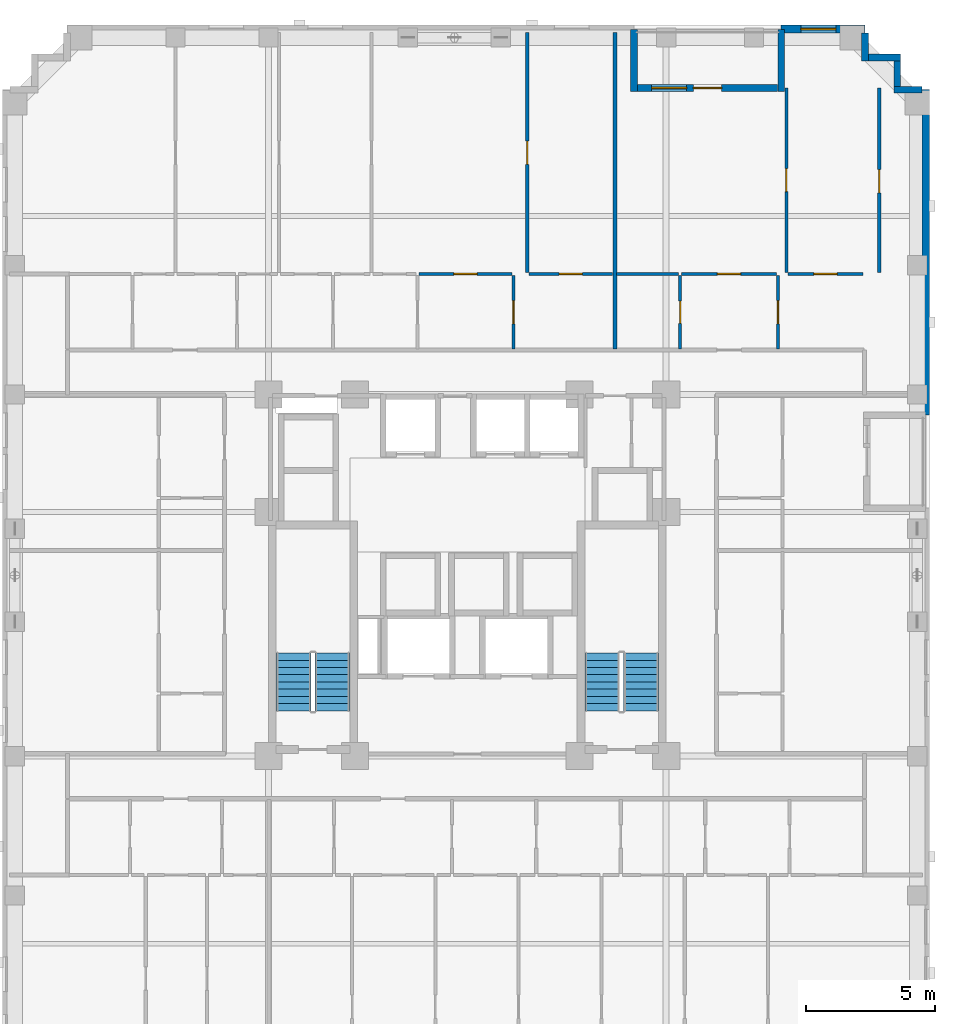
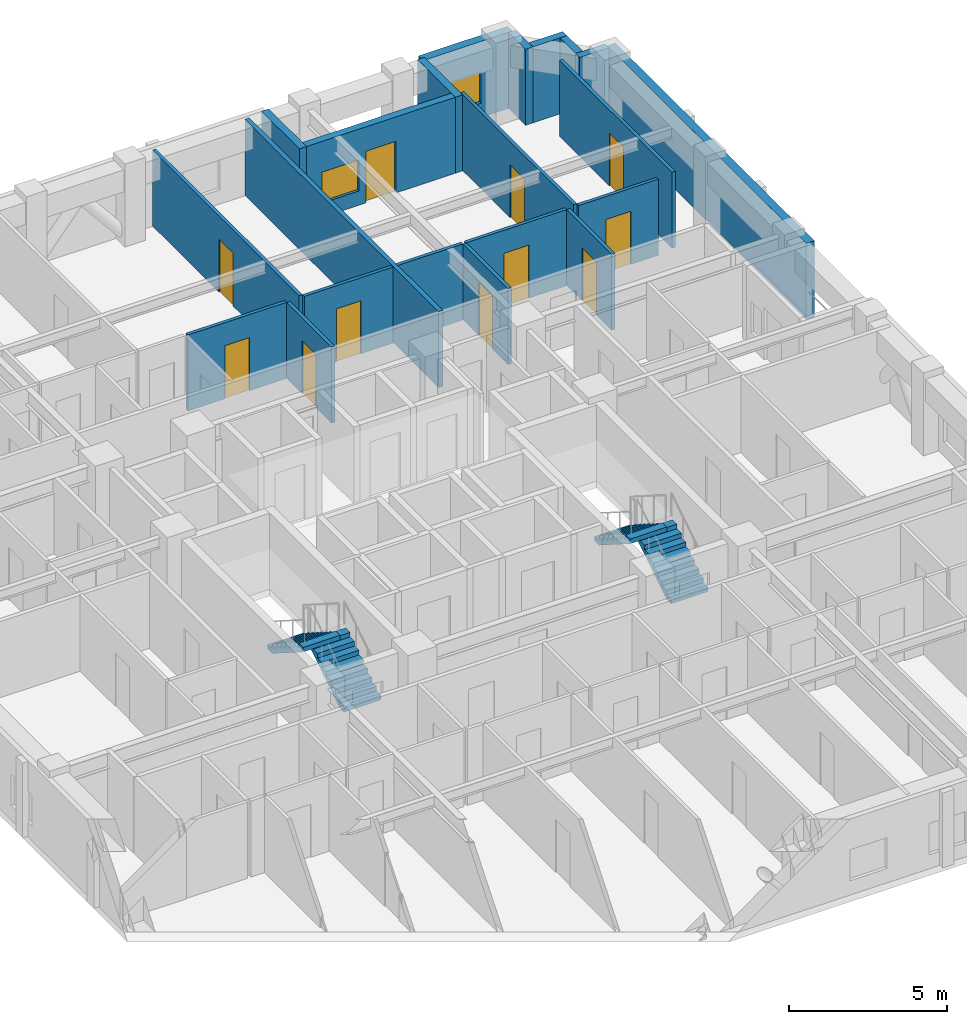
# One storey, part 8 of 12: 21 walls, 11 doors, 4 stair flights, 2 windows, 13 openings, 2 elements without a shape of their own.
"""IFC4 building model written with IfcOpenShell, lengths in metres."""

from ifc_helpers import new_model, si_unit, derived_unit, direction, frame, frame_2d, origin, place, context, subcontext, project, spatial, polyline, rectangle, outline, extrude, material, layer, layer_set, type_object, element, fill, aggregate, save


model = new_model("IFC4")

# Units and contexts
model_context = context("Model", 3, precision=1e-05, world=origin(), true_north=direction((0.0, 1.0)))
body_context = subcontext(model_context, "Body", "Model", "MODEL_VIEW")
ifc_project = project(units=[si_unit("LENGTHUNIT", "METRE"), si_unit("AREAUNIT", "SQUARE_METRE"), si_unit("VOLUMEUNIT", "CUBIC_METRE"), si_unit("PLANEANGLEUNIT", "RADIAN"), si_unit("MASSUNIT", "GRAM", prefix="KILO"), derived_unit("THERMALTRANSMITTANCEUNIT", [(si_unit("MASSUNIT", "GRAM", prefix="KILO"), 1), (si_unit("TIMEUNIT", "SECOND"), -3), (si_unit("THERMODYNAMICTEMPERATUREUNIT", "KELVIN"), -1)])], contexts=[model_context])

# Site, building, storey
site_placement = place(None, origin())
site = spatial("IfcSite", under=ifc_project, at=site_placement, CompositionType="ELEMENT")
building_placement = place(site_placement, origin())
building = spatial("IfcBuilding", under=site, at=building_placement, Name="Korrvale Station Residences", CompositionType="ELEMENT")
storey_placement = place(building_placement, frame((0.0, 0.0, 113.5)))
storey = spatial("IfcBuildingStorey", under=building, at=storey_placement, Name="L32", CompositionType="ELEMENT", Elevation=113.5)

# Wall
ifc_material_1 = material(Name="Precast concrete C45/55", Category="concrete")
ifc_layer_1 = layer(ifc_material_1, 0.260009765625, Name="Precast concrete C45/55")
ifc_layer_set_1 = layer_set([ifc_layer_1], Name="Precast concrete C45/55")
wall_type_1 = type_object("IfcWallType", Name="WAL-EXT-LOG260", PredefinedType="SOLIDWALL", material=ifc_layer_set_1)
wall_1_placement = place(storey_placement, frame((31.949951171875, 43.139892578125, 0.0), z_axis=(0.0, 0.0, 1.0), x_axis=(0.0, -1.0, 0.0)))
element("IfcWall", 1, at=wall_1_placement, inside=storey, type_object=wall_type_1, Name="L32 Recessed Loggia Wall BAL-L32-N1-L", PredefinedType="SOLIDWALL", context=body_context, shape_type="SweptSolid", body=[
    extrude(rectangle(XDim=2.39990234375, YDim=0.260009765625, at=frame_2d((1.199951171875, 0.0))), origin(), (0.0, 0.0, 1.0), 2.93994140625),
])

# Wall, openings, door, window
wall_2_placement = place(storey_placement, frame((32.083984375, 40.8701171875, 0.0), z_axis=(0.0, 0.0, 1.0), x_axis=(1.0, 0.0, 0.0)))
wall_2 = element("IfcWall", 2, at=wall_2_placement, inside=storey, type_object=wall_type_1, Name="L32 Recessed Loggia Wall BAL-L32-N1-B", PredefinedType="SOLIDWALL", context=body_context, shape_type="SweptSolid", body=[
    extrude(rectangle(XDim=5.43212890625, YDim=0.260009765625, at=frame_2d((2.716064453125, 0.0))), origin(), (0.0, 0.0, 1.0), 2.93994140625),
])
opening_1_placement = place(wall_2_placement, frame((2.166015625, 0.0, 0.0)))
opening_1 = element("IfcOpeningElement", 3, at=opening_1_placement, cuts=wall_2, Name="Opening BD-01", PredefinedType="OPENING", context=body_context, shape_type="SweptSolid", body=[
    extrude(rectangle(XDim=1.10009765625, YDim=2.0, at=frame_2d((0.550048828125, 1.0))), frame((0.0, 0.14013671875, 0.0), z_axis=(0.0, -1.0, 0.0), x_axis=(1.0, 0.0, 0.0)), (0.0, 0.0, 1.0), 0.280029296875),
])
opening_2_placement = place(wall_2_placement, frame((0.555908203125, 0.0, 0.550048828125)))
opening_2 = element("IfcOpeningElement", 4, at=opening_2_placement, cuts=wall_2, Name="Opening W-10", PredefinedType="OPENING", context=body_context, shape_type="SweptSolid", body=[
    extrude(rectangle(XDim=1.35009765625, YDim=1.199951171875, at=frame_2d((0.675048828125, 0.60009765625))), frame((0.0, 0.14013671875, 0.0), z_axis=(0.0, -1.0, 0.0), x_axis=(1.0, 0.0, 0.0)), (0.0, 0.0, 1.0), 0.280029296875),
])
ifc_material_2 = material(Name="Exterior thermally broken aluminium glazed balcony door", Category="aluminium")
door_type_1 = type_object("IfcDoorType", Name="DR-EXT-BAL", OperationType="NOTDEFINED", PredefinedType="DOOR", material=ifc_material_2)
door_1_placement = place(opening_1_placement, origin())
door_1 = element("IfcDoor", 5, at=door_1_placement, inside=storey, type_object=door_type_1, Name="L32 Loggia Balcony Door BAL-L32-N1", OperationType="SINGLE_SWING_RIGHT", OverallHeight=2.0, OverallWidth=1.10009765625, PredefinedType="DOOR", context=body_context, shape_type="SweptSolid", body=[
    extrude(rectangle(XDim=1.10009765625, YDim=2.0, at=frame_2d((0.550048828125, 1.0))), frame((0.0, 0.02490234375, 0.0), z_axis=(0.0, -1.0, 0.0), x_axis=(1.0, 0.0, 0.0)), (0.0, 0.0, 1.0), 0.050048828125),
])
fill(opening_1, door_1)
ifc_material_3 = material(Name="Thermally broken aluminium frame with triple low-e glazing", Category="aluminium")
window_type = type_object("IfcWindowType", Name="WIN-W10", PartitioningType="SINGLE_PANEL", PredefinedType="WINDOW", material=ifc_material_3)
window_1_placement = place(opening_2_placement, origin())
window_1 = element("IfcWindow", 6, at=window_1_placement, inside=storey, type_object=window_type, Name="L32 Punched Window 17", OverallHeight=1.199951171875, OverallWidth=1.35009765625, PartitioningType="SINGLE_PANEL", PredefinedType="WINDOW", context=body_context, shape_type="SweptSolid", body=[
    extrude(rectangle(XDim=1.35009765625, YDim=1.199951171875, at=frame_2d((0.675048828125, 0.60009765625))), frame((0.0, 0.030029296875, 0.0), z_axis=(0.0, -1.0, 0.0), x_axis=(1.0, 0.0, 0.0)), (0.0, 0.0, 1.0), 0.06005859375),
])
fill(opening_2, window_1)

# Walls
wall_3_placement = place(storey_placement, frame((37.64990234375, 40.739990234375, 0.0), z_axis=(0.0, 0.0, 1.0), x_axis=(0.0, 1.0, 0.0)))
element("IfcWall", 7, at=wall_3_placement, inside=storey, type_object=wall_type_1, Name="L32 Recessed Loggia Wall BAL-L32-N1-R", PredefinedType="SOLIDWALL", context=body_context, shape_type="SweptSolid", body=[
    extrude(rectangle(XDim=2.39990234375, YDim=0.260009765625, at=frame_2d((1.199951171875, 0.0))), origin(), (0.0, 0.0, 1.0), 2.93994140625),
])
wall_4_placement = place(storey_placement, frame((40.89990234375, 42.998046875, 0.0), z_axis=(0.0, 0.0, 1.0), x_axis=(0.0, -1.0, 0.0)))
element("IfcWall", 8, at=wall_4_placement, inside=storey, type_object=wall_type_1, Name="L32 Serrated Corner Precast Step NE-1", PredefinedType="SOLIDWALL", context=body_context, shape_type="SweptSolid", body=[
    extrude(rectangle(XDim=1.078125, YDim=0.260009765625, at=frame_2d((0.5390625, 0.0))), origin(), (0.0, 0.0, 1.0), 2.93994140625),
])
wall_5_placement = place(storey_placement, frame((41.031982421875, 42.050048828125, 0.0), z_axis=(0.0, 0.0, 1.0), x_axis=(1.0, 0.0, 0.0)))
element("IfcWall", 9, at=wall_5_placement, inside=storey, type_object=wall_type_1, Name="L32 Serrated Corner Precast Step NE-2", PredefinedType="SOLIDWALL", context=body_context, shape_type="SweptSolid", body=[
    extrude(rectangle(XDim=1.248046875, YDim=0.260009765625, at=frame_2d((0.6240234375, 0.0))), origin(), (0.0, 0.0, 1.0), 2.93994140625),
])
wall_6_placement = place(storey_placement, frame((42.14990234375, 41.91796875, 0.0), z_axis=(0.0, 0.0, 1.0), x_axis=(0.0, -1.0, 0.0)))
element("IfcWall", 10, at=wall_6_placement, inside=storey, type_object=wall_type_1, Name="L32 Serrated Corner Precast Step NE-3", PredefinedType="SOLIDWALL", context=body_context, shape_type="SweptSolid", body=[
    extrude(rectangle(XDim=0.986083984375, YDim=0.260009765625, at=frame_2d((0.4931640625, 0.0))), origin(), (0.0, 0.0, 1.0), 2.93994140625),
])
wall_7_placement = place(storey_placement, frame((42.02001953125, 40.800048828125, 0.0), z_axis=(0.0, 0.0, 1.0), x_axis=(1.0, 0.0, 0.0)))
element("IfcWall", 11, at=wall_7_placement, inside=storey, type_object=wall_type_1, Name="L32 Serrated Corner Precast Step NE-4", PredefinedType="SOLIDWALL", context=body_context, shape_type="SweptSolid", body=[
    extrude(rectangle(XDim=1.077880859375, YDim=0.260009765625, at=frame_2d((0.5390625, 0.0))), origin(), (0.0, 0.0, 1.0), 2.93994140625),
])

# Wall, opening, window
ifc_layer_2 = layer(ifc_material_1, 0.300048828125, Name="Precast concrete C45/55")
ifc_layer_set_2 = layer_set([ifc_layer_2], Name="Precast concrete C45/55")
wall_type_2 = type_object("IfcWallType", Name="WAL-EXT-PC300", PredefinedType="SOLIDWALL", material=ifc_layer_set_2)
wall_8_placement = place(storey_placement, frame((37.64990234375, 43.14990234375, 0.0), z_axis=(0.0, 0.0, 1.0), x_axis=(1.0, 0.0, 0.0)))
wall_8 = element("IfcWall", 12, at=wall_8_placement, inside=storey, type_object=wall_type_2, Name="L32 North Exterior Precast Wall 2", PredefinedType="SOLIDWALL", context=body_context, shape_type="SweptSolid", body=[
    extrude(rectangle(XDim=3.25, YDim=0.300048828125, at=frame_2d((1.625, 0.0))), origin(), (0.0, 0.0, 1.0), 2.93994140625),
])
opening_3_placement = place(wall_8_placement, frame((0.764892578125, 0.0, 0.550048828125)))
opening_3 = element("IfcOpeningElement", 13, at=opening_3_placement, cuts=wall_8, Name="Opening W-10", PredefinedType="OPENING", context=body_context, shape_type="SweptSolid", body=[
    extrude(rectangle(XDim=1.35009765625, YDim=1.199951171875, at=frame_2d((0.675048828125, 0.60009765625))), frame((0.0, 0.16015625, 0.0), z_axis=(0.0, -1.0, 0.0), x_axis=(1.0, 0.0, 0.0)), (0.0, 0.0, 1.0), 0.320068359375),
])
window_2_placement = place(opening_3_placement, origin())
window_2 = element("IfcWindow", 14, at=window_2_placement, inside=storey, type_object=window_type, Name="L32 Punched Window 18", OverallHeight=1.199951171875, OverallWidth=1.35009765625, PartitioningType="SINGLE_PANEL", PredefinedType="WINDOW", context=body_context, shape_type="SweptSolid", body=[
    extrude(rectangle(XDim=1.35009765625, YDim=1.199951171875, at=frame_2d((0.675048828125, 0.60009765625))), frame((0.0, 0.030029296875, 0.0), z_axis=(0.0, -1.0, 0.0), x_axis=(1.0, 0.0, 0.0)), (0.0, 0.0, 1.0), 0.06005859375),
])
fill(opening_3, window_2)

# Wall
wall_9_placement = place(storey_placement, frame((43.25, 40.800048828125, 0.0), z_axis=(0.0, 0.0, 1.0), x_axis=(0.0, -1.0, 0.0)))
element("IfcWall", 15, at=wall_9_placement, inside=storey, type_object=wall_type_2, Name="L32 East Exterior Precast Wall 1", PredefinedType="SOLIDWALL", context=body_context, shape_type="SweptSolid", body=[
    extrude(rectangle(XDim=12.60009765625, YDim=0.300048828125, at=frame_2d((6.300048828125, 0.0))), origin(), (0.0, 0.0, 1.0), 2.93994140625),
])

# Wall, opening, door
ifc_material_4 = material(Name="Acoustic steel-stud gypsum board partition", Category="steel")
ifc_layer_3 = layer(ifc_material_4, 0.1201171875, Name="Acoustic steel-stud gypsum board partition")
ifc_layer_set_3 = layer_set([ifc_layer_3], Name="Acoustic steel-stud gypsum board partition")
wall_type_3 = type_object("IfcWallType", Name="WAL-PART-125", PredefinedType="PARTITIONING", material=ifc_layer_set_3)
wall_10_placement = place(storey_placement, frame((27.2900390625, 30.760009765625, 0.0), z_axis=(0.0, 0.0, 1.0), x_axis=(0.0, 1.0, 0.0)))
wall_10 = element("IfcWall", 16, at=wall_10_placement, inside=storey, type_object=wall_type_3, Name="L32 Suite Partition U03-V45", PredefinedType="PARTITIONING", context=body_context, shape_type="SweptSolid", body=[
    extrude(rectangle(XDim=2.85009765625, YDim=0.1201171875, at=frame_2d((1.425048828125, 0.0))), origin(), (0.0, 0.0, 1.0), 2.93994140625),
])
opening_4_placement = place(wall_10_placement, frame((0.97509765625, 0.0, 0.0)))
opening_4 = element("IfcOpeningElement", 17, at=opening_4_placement, cuts=wall_10, Name="Opening DI-900", PredefinedType="OPENING", context=body_context, shape_type="SweptSolid", body=[
    extrude(rectangle(XDim=0.89990234375, YDim=2.050048828125, at=frame_2d((0.449951171875, 1.02490234375))), frame((0.0, 0.070068359375, 0.0), z_axis=(0.0, -1.0, 0.0), x_axis=(1.0, 0.0, 0.0)), (0.0, 0.0, 1.0), 0.14013671875),
])
ifc_material_5 = material(Name="Painted solid-core timber interior room door", Category="wood")
door_type_2 = type_object("IfcDoorType", Name="DR-INT-900", OperationType="NOTDEFINED", PredefinedType="DOOR", material=ifc_material_5)
door_2_placement = place(opening_4_placement, origin())
door_2 = element("IfcDoor", 18, at=door_2_placement, inside=storey, type_object=door_type_2, Name="L32 Apartment 1BR L32-U03 Storage Closet 3 Door", OperationType="SINGLE_SWING_LEFT", OverallHeight=2.050048828125, OverallWidth=0.89990234375, PredefinedType="DOOR", context=body_context, shape_type="SweptSolid", body=[
    extrude(rectangle(XDim=0.89990234375, YDim=2.050048828125, at=frame_2d((0.449951171875, 1.02490234375))), frame((0.0, 0.02490234375, 0.0), z_axis=(0.0, -1.0, 0.0), x_axis=(1.0, 0.0, 0.0)), (0.0, 0.0, 1.0), 0.050048828125),
])
fill(opening_4, door_2)

wall_11_placement = place(storey_placement, frame((23.6298828125, 33.669921875, 0.0), z_axis=(0.0, 0.0, 1.0), x_axis=(1.0, 0.0, 0.0)))
wall_11 = element("IfcWall", 19, at=wall_11_placement, inside=storey, type_object=wall_type_3, Name="L32 Suite Partition U03-H49", PredefinedType="PARTITIONING", context=body_context, shape_type="SweptSolid", body=[
    extrude(rectangle(XDim=3.60009765625, YDim=0.1201171875, at=frame_2d((1.800048828125, 0.0))), origin(), (0.0, 0.0, 1.0), 2.93994140625),
])
opening_5_placement = place(wall_11_placement, frame((1.35009765625, 0.0, 0.0)))
opening_5 = element("IfcOpeningElement", 20, at=opening_5_placement, cuts=wall_11, Name="Opening DI-900", PredefinedType="OPENING", context=body_context, shape_type="SweptSolid", body=[
    extrude(rectangle(XDim=0.89990234375, YDim=2.050048828125, at=frame_2d((0.449951171875, 1.02490234375))), frame((0.0, 0.070068359375, 0.0), z_axis=(0.0, -1.0, 0.0), x_axis=(1.0, 0.0, 0.0)), (0.0, 0.0, 1.0), 0.14013671875),
])
door_3_placement = place(opening_5_placement, origin())
door_3 = element("IfcDoor", 21, at=door_3_placement, inside=storey, type_object=door_type_2, Name="L32 Apartment 1BR L32-U03 Storage Closet 3 Door", OperationType="SINGLE_SWING_RIGHT", OverallHeight=2.050048828125, OverallWidth=0.89990234375, PredefinedType="DOOR", context=body_context, shape_type="SweptSolid", body=[
    extrude(rectangle(XDim=0.89990234375, YDim=2.050048828125, at=frame_2d((0.449951171875, 1.02490234375))), frame((0.0, 0.02490234375, 0.0), z_axis=(0.0, -1.0, 0.0), x_axis=(1.0, 0.0, 0.0)), (0.0, 0.0, 1.0), 0.050048828125),
])
fill(opening_5, door_3)

wall_12_placement = place(storey_placement, frame((27.8798828125, 33.669921875, 0.0), z_axis=(0.0, 0.0, 1.0), x_axis=(1.0, 0.0, 0.0)))
wall_12 = element("IfcWall", 22, at=wall_12_placement, inside=storey, type_object=wall_type_3, Name="L32 Suite Partition U03-H510", PredefinedType="PARTITIONING", context=body_context, shape_type="SweptSolid", body=[
    extrude(rectangle(XDim=3.240234375, YDim=0.1201171875, at=frame_2d((1.6201171875, 0.0))), origin(), (0.0, 0.0, 1.0), 2.93994140625),
])
opening_6_placement = place(wall_12_placement, frame((1.169921875, 0.0, 0.0)))
opening_6 = element("IfcOpeningElement", 23, at=opening_6_placement, cuts=wall_12, Name="Opening DI-900", PredefinedType="OPENING", context=body_context, shape_type="SweptSolid", body=[
    extrude(rectangle(XDim=0.89990234375, YDim=2.050048828125, at=frame_2d((0.449951171875, 1.02490234375))), frame((0.0, 0.070068359375, 0.0), z_axis=(0.0, -1.0, 0.0), x_axis=(1.0, 0.0, 0.0)), (0.0, 0.0, 1.0), 0.14013671875),
])
door_4_placement = place(opening_6_placement, origin())
door_4 = element("IfcDoor", 24, at=door_4_placement, inside=storey, type_object=door_type_2, Name="L32 Apartment 1BR L32-U03 Storage Closet 4 Door", OperationType="SINGLE_SWING_LEFT", OverallHeight=2.050048828125, OverallWidth=0.89990234375, PredefinedType="DOOR", context=body_context, shape_type="SweptSolid", body=[
    extrude(rectangle(XDim=0.89990234375, YDim=2.050048828125, at=frame_2d((0.449951171875, 1.02490234375))), frame((0.0, 0.02490234375, 0.0), z_axis=(0.0, -1.0, 0.0), x_axis=(1.0, 0.0, 0.0)), (0.0, 0.0, 1.0), 0.050048828125),
])
fill(opening_6, door_4)

wall_13_placement = place(storey_placement, frame((27.820068359375, 33.72998046875, 0.0), z_axis=(0.0, 0.0, 1.0), x_axis=(0.0, 1.0, 0.0)))
wall_13 = element("IfcWall", 25, at=wall_13_placement, inside=storey, type_object=wall_type_3, Name="L32 Suite Partition U03-V910", PredefinedType="PARTITIONING", context=body_context, shape_type="SweptSolid", body=[
    extrude(rectangle(XDim=9.2900390625, YDim=0.1201171875, at=frame_2d((4.64501953125, 0.0))), origin(), (0.0, 0.0, 1.0), 2.93994140625),
])
opening_7_placement = place(wall_13_placement, frame((4.179931640625, 0.0, 0.0)))
opening_7 = element("IfcOpeningElement", 26, at=opening_7_placement, cuts=wall_13, Name="Opening DI-900", PredefinedType="OPENING", context=body_context, shape_type="SweptSolid", body=[
    extrude(rectangle(XDim=0.89990234375, YDim=2.050048828125, at=frame_2d((0.449951171875, 1.02490234375))), frame((0.0, 0.070068359375, 0.0), z_axis=(0.0, -1.0, 0.0), x_axis=(1.0, 0.0, 0.0)), (0.0, 0.0, 1.0), 0.14013671875),
])
door_5_placement = place(opening_7_placement, origin())
door_5 = element("IfcDoor", 27, at=door_5_placement, inside=storey, type_object=door_type_2, Name="L32 Apartment 1BR L32-U03 Wardrobe Storage Room Door", OperationType="SINGLE_SWING_LEFT", OverallHeight=2.050048828125, OverallWidth=0.89990234375, PredefinedType="DOOR", context=body_context, shape_type="SweptSolid", body=[
    extrude(rectangle(XDim=0.89990234375, YDim=2.050048828125, at=frame_2d((0.449951171875, 1.02490234375))), frame((0.0, 0.02490234375, 0.0), z_axis=(0.0, -1.0, 0.0), x_axis=(1.0, 0.0, 0.0)), (0.0, 0.0, 1.0), 0.050048828125),
])
fill(opening_7, door_5)

wall_14_placement = place(storey_placement, frame((33.739990234375, 30.760009765625, 0.0), z_axis=(0.0, 0.0, 1.0), x_axis=(0.0, 1.0, 0.0)))
wall_14 = element("IfcWall", 28, at=wall_14_placement, inside=storey, type_object=wall_type_3, Name="L32 Suite Partition U04-V01", PredefinedType="PARTITIONING", context=body_context, shape_type="SweptSolid", body=[
    extrude(rectangle(XDim=2.85009765625, YDim=0.1201171875, at=frame_2d((1.425048828125, 0.0))), origin(), (0.0, 0.0, 1.0), 2.93994140625),
])
opening_8_placement = place(wall_14_placement, frame((0.9951171875, 0.0, 0.0)))
opening_8 = element("IfcOpeningElement", 29, at=opening_8_placement, cuts=wall_14, Name="Opening DB-860", PredefinedType="OPENING", context=body_context, shape_type="SweptSolid", body=[
    extrude(rectangle(XDim=0.860107421875, YDim=2.050048828125, at=frame_2d((0.43017578125, 1.02490234375))), frame((0.0, 0.070068359375, 0.0), z_axis=(0.0, -1.0, 0.0), x_axis=(1.0, 0.0, 0.0)), (0.0, 0.0, 1.0), 0.14013671875),
])
ifc_material_6 = material(Name="Moisture-resistant solid-core bathroom door", Category="timber")
door_type_3 = type_object("IfcDoorType", Name="DR-BATH-860", OperationType="NOTDEFINED", PredefinedType="DOOR", material=ifc_material_6)
door_6_placement = place(opening_8_placement, origin())
door_6 = element("IfcDoor", 30, at=door_6_placement, inside=storey, type_object=door_type_3, Name="L32 Apartment 1BR L32-U04 Bathroom Door", OperationType="SINGLE_SWING_RIGHT", OverallHeight=2.050048828125, OverallWidth=0.860107421875, PredefinedType="DOOR", context=body_context, shape_type="SweptSolid", body=[
    extrude(rectangle(XDim=0.860107421875, YDim=2.050048828125, at=frame_2d((0.43017578125, 1.02490234375))), frame((0.0, 0.02490234375, 0.0), z_axis=(0.0, -1.0, 0.0), x_axis=(1.0, 0.0, 0.0)), (0.0, 0.0, 1.0), 0.050048828125),
])
fill(opening_8, door_6)

# Wall
wall_15_placement = place(storey_placement, frame((31.280029296875, 33.669921875, 0.0), z_axis=(0.0, 0.0, 1.0), x_axis=(1.0, 0.0, 0.0)))
element("IfcWall", 31, at=wall_15_placement, inside=storey, type_object=wall_type_3, Name="L32 Suite Partition U04-H03", PredefinedType="PARTITIONING", context=body_context, shape_type="SweptSolid", body=[
    extrude(rectangle(XDim=2.39990234375, YDim=0.1201171875, at=frame_2d((1.199951171875, 0.0))), origin(), (0.0, 0.0, 1.0), 2.93994140625),
])

# Wall, opening, door
wall_16_placement = place(storey_placement, frame((37.530029296875, 30.760009765625, 0.0), z_axis=(0.0, 0.0, 1.0), x_axis=(0.0, 1.0, 0.0)))
wall_16 = element("IfcWall", 32, at=wall_16_placement, inside=storey, type_object=wall_type_3, Name="L32 Suite Partition U04-V12", PredefinedType="PARTITIONING", context=body_context, shape_type="SweptSolid", body=[
    extrude(rectangle(XDim=2.85009765625, YDim=0.1201171875, at=frame_2d((1.425048828125, 0.0))), origin(), (0.0, 0.0, 1.0), 2.93994140625),
])
opening_9_placement = place(wall_16_placement, frame((0.97509765625, 0.0, 0.0)))
opening_9 = element("IfcOpeningElement", 33, at=opening_9_placement, cuts=wall_16, Name="Opening DI-900", PredefinedType="OPENING", context=body_context, shape_type="SweptSolid", body=[
    extrude(rectangle(XDim=0.89990234375, YDim=2.050048828125, at=frame_2d((0.449951171875, 1.02490234375))), frame((0.0, 0.070068359375, 0.0), z_axis=(0.0, -1.0, 0.0), x_axis=(1.0, 0.0, 0.0)), (0.0, 0.0, 1.0), 0.14013671875),
])
door_7_placement = place(opening_9_placement, origin())
door_7 = element("IfcDoor", 34, at=door_7_placement, inside=storey, type_object=door_type_2, Name="L32 Apartment 1BR L32-U04 Kitchen Door", OperationType="SINGLE_SWING_LEFT", OverallHeight=2.050048828125, OverallWidth=0.89990234375, PredefinedType="DOOR", context=body_context, shape_type="SweptSolid", body=[
    extrude(rectangle(XDim=0.89990234375, YDim=2.050048828125, at=frame_2d((0.449951171875, 1.02490234375))), frame((0.0, 0.02490234375, 0.0), z_axis=(0.0, -1.0, 0.0), x_axis=(1.0, 0.0, 0.0)), (0.0, 0.0, 1.0), 0.050048828125),
])
fill(opening_9, door_7)

wall_17_placement = place(storey_placement, frame((33.800048828125, 33.669921875, 0.0), z_axis=(0.0, 0.0, 1.0), x_axis=(1.0, 0.0, 0.0)))
wall_17 = element("IfcWall", 35, at=wall_17_placement, inside=storey, type_object=wall_type_3, Name="L32 Suite Partition U04-H13", PredefinedType="PARTITIONING", context=body_context, shape_type="SweptSolid", body=[
    extrude(rectangle(XDim=3.669921875, YDim=0.1201171875, at=frame_2d((1.8349609375, 0.0))), origin(), (0.0, 0.0, 1.0), 2.93994140625),
])
opening_10_placement = place(wall_17_placement, frame((1.385009765625, 0.0, 0.0)))
opening_10 = element("IfcOpeningElement", 36, at=opening_10_placement, cuts=wall_17, Name="Opening DI-900", PredefinedType="OPENING", context=body_context, shape_type="SweptSolid", body=[
    extrude(rectangle(XDim=0.89990234375, YDim=2.050048828125, at=frame_2d((0.449951171875, 1.02490234375))), frame((0.0, 0.070068359375, 0.0), z_axis=(0.0, -1.0, 0.0), x_axis=(1.0, 0.0, 0.0)), (0.0, 0.0, 1.0), 0.14013671875),
])
door_8_placement = place(opening_10_placement, origin())
door_8 = element("IfcDoor", 37, at=door_8_placement, inside=storey, type_object=door_type_2, Name="L32 Apartment 1BR L32-U04 Kitchen Door", OperationType="SINGLE_SWING_RIGHT", OverallHeight=2.050048828125, OverallWidth=0.89990234375, PredefinedType="DOOR", context=body_context, shape_type="SweptSolid", body=[
    extrude(rectangle(XDim=0.89990234375, YDim=2.050048828125, at=frame_2d((0.449951171875, 1.02490234375))), frame((0.0, 0.02490234375, 0.0), z_axis=(0.0, -1.0, 0.0), x_axis=(1.0, 0.0, 0.0)), (0.0, 0.0, 1.0), 0.050048828125),
])
fill(opening_10, door_8)

wall_18_placement = place(storey_placement, frame((37.909912109375, 33.669921875, 0.0), z_axis=(0.0, 0.0, 1.0), x_axis=(1.0, 0.0, 0.0)))
wall_18 = element("IfcWall", 38, at=wall_18_placement, inside=storey, type_object=wall_type_3, Name="L32 Suite Partition U04-H24", PredefinedType="PARTITIONING", context=body_context, shape_type="SweptSolid", body=[
    extrude(rectangle(XDim=2.91015625, YDim=0.1201171875, at=frame_2d((1.455078125, 0.0))), origin(), (0.0, 0.0, 1.0), 2.93994140625),
])
opening_11_placement = place(wall_18_placement, frame((1.0048828125, 0.0, 0.0)))
opening_11 = element("IfcOpeningElement", 39, at=opening_11_placement, cuts=wall_18, Name="Opening DI-900", PredefinedType="OPENING", context=body_context, shape_type="SweptSolid", body=[
    extrude(rectangle(XDim=0.89990234375, YDim=2.050048828125, at=frame_2d((0.449951171875, 1.02490234375))), frame((0.0, 0.070068359375, 0.0), z_axis=(0.0, -1.0, 0.0), x_axis=(1.0, 0.0, 0.0)), (0.0, 0.0, 1.0), 0.14013671875),
])
door_9_placement = place(opening_11_placement, origin())
door_9 = element("IfcDoor", 40, at=door_9_placement, inside=storey, type_object=door_type_2, Name="L32 Apartment 1BR L32-U04 Utility and Laundry Room Door", OperationType="SINGLE_SWING_LEFT", OverallHeight=2.050048828125, OverallWidth=0.89990234375, PredefinedType="DOOR", context=body_context, shape_type="SweptSolid", body=[
    extrude(rectangle(XDim=0.89990234375, YDim=2.050048828125, at=frame_2d((0.449951171875, 1.02490234375))), frame((0.0, 0.02490234375, 0.0), z_axis=(0.0, -1.0, 0.0), x_axis=(1.0, 0.0, 0.0)), (0.0, 0.0, 1.0), 0.050048828125),
])
fill(opening_11, door_9)

wall_19_placement = place(storey_placement, frame((37.85009765625, 33.72998046875, 0.0), z_axis=(0.0, 0.0, 1.0), x_axis=(0.0, 1.0, 0.0)))
wall_19 = element("IfcWall", 41, at=wall_19_placement, inside=storey, type_object=wall_type_3, Name="L32 Suite Partition U04-V34", PredefinedType="PARTITIONING", context=body_context, shape_type="SweptSolid", body=[
    extrude(rectangle(XDim=7.14013671875, YDim=0.1201171875, at=frame_2d((3.570068359375, 0.0))), origin(), (0.0, 0.0, 1.0), 2.93994140625),
])
opening_12_placement = place(wall_19_placement, frame((3.1201171875, 0.0, 0.0)))
opening_12 = element("IfcOpeningElement", 42, at=opening_12_placement, cuts=wall_19, Name="Opening DI-900", PredefinedType="OPENING", context=body_context, shape_type="SweptSolid", body=[
    extrude(rectangle(XDim=0.89990234375, YDim=2.050048828125, at=frame_2d((0.449951171875, 1.02490234375))), frame((0.0, 0.070068359375, 0.0), z_axis=(0.0, -1.0, 0.0), x_axis=(1.0, 0.0, 0.0)), (0.0, 0.0, 1.0), 0.14013671875),
])
door_10_placement = place(opening_12_placement, origin())
door_10 = element("IfcDoor", 43, at=door_10_placement, inside=storey, type_object=door_type_2, Name="L32 Apartment 1BR L32-U04 Living and Dining Room Door", OperationType="SINGLE_SWING_RIGHT", OverallHeight=2.050048828125, OverallWidth=0.89990234375, PredefinedType="DOOR", context=body_context, shape_type="SweptSolid", body=[
    extrude(rectangle(XDim=0.89990234375, YDim=2.050048828125, at=frame_2d((0.449951171875, 1.02490234375))), frame((0.0, 0.02490234375, 0.0), z_axis=(0.0, -1.0, 0.0), x_axis=(1.0, 0.0, 0.0)), (0.0, 0.0, 1.0), 0.050048828125),
])
fill(opening_12, door_10)

wall_20_placement = place(storey_placement, frame((41.449951171875, 33.72998046875, 0.0), z_axis=(0.0, 0.0, 1.0), x_axis=(0.0, 1.0, 0.0)))
wall_20 = element("IfcWall", 44, at=wall_20_placement, inside=storey, type_object=wall_type_3, Name="L32 Suite Partition U04-V45", PredefinedType="PARTITIONING", context=body_context, shape_type="SweptSolid", body=[
    extrude(rectangle(XDim=7.14013671875, YDim=0.1201171875, at=frame_2d((3.570068359375, 0.0))), origin(), (0.0, 0.0, 1.0), 2.93994140625),
])
opening_13_placement = place(wall_20_placement, frame((3.074951171875, 0.0, 0.0)))
opening_13 = element("IfcOpeningElement", 45, at=opening_13_placement, cuts=wall_20, Name="Opening DI-900", PredefinedType="OPENING", context=body_context, shape_type="SweptSolid", body=[
    extrude(rectangle(XDim=0.89990234375, YDim=2.050048828125, at=frame_2d((0.449951171875, 1.02490234375))), frame((0.0, 0.070068359375, 0.0), z_axis=(0.0, -1.0, 0.0), x_axis=(1.0, 0.0, 0.0)), (0.0, 0.0, 1.0), 0.14013671875),
])
door_11_placement = place(opening_13_placement, origin())
door_11 = element("IfcDoor", 46, at=door_11_placement, inside=storey, type_object=door_type_2, Name="L32 Apartment 1BR L32-U04 Bedroom 1 Door", OperationType="SINGLE_SWING_LEFT", OverallHeight=2.050048828125, OverallWidth=0.89990234375, PredefinedType="DOOR", context=body_context, shape_type="SweptSolid", body=[
    extrude(rectangle(XDim=0.89990234375, YDim=2.050048828125, at=frame_2d((0.449951171875, 1.02490234375))), frame((0.0, 0.02490234375, 0.0), z_axis=(0.0, -1.0, 0.0), x_axis=(1.0, 0.0, 0.0)), (0.0, 0.0, 1.0), 0.050048828125),
])
fill(opening_13, door_11)

# Wall
ifc_material_7 = material(Name="Fire-rated twin-stud gypsum and mineral wool shaftwall assembly", Category="gypsum")
ifc_layer_4 = layer(ifc_material_7, 0.159912109375, Name="Fire-rated twin-stud gypsum and mineral wool shaftwall assembly")
ifc_layer_set_4 = layer_set([ifc_layer_4], Name="Fire-rated twin-stud gypsum and mineral wool shaftwall assembly")
wall_type_4 = type_object("IfcWallType", Name="WAL-PART-200", PredefinedType="PARTITIONING", material=ifc_layer_set_4)
wall_21_placement = place(storey_placement, frame((31.219970703125, 30.760009765625, 0.0), z_axis=(0.0, 0.0, 1.0), x_axis=(0.0, 1.0, 0.0)))
element("IfcWall", 47, at=wall_21_placement, inside=storey, type_object=wall_type_4, Name="L32 Demising Wall U04-W", PredefinedType="PARTITIONING", context=body_context, shape_type="SweptSolid", body=[
    extrude(rectangle(XDim=12.260009765625, YDim=0.159912109375, at=frame_2d((6.1298828125, 0.0))), origin(), (0.0, 0.0, 1.0), 2.93994140625),
])

# Stair, stair flights
ifc_material_8 = material(Name="Concrete C50/60", Category="concrete")
stair_type = type_object("IfcStairType", Name="STR-DL-1350-18R-1778", PredefinedType="HALF_TURN_STAIR", material=ifc_material_8)
stair_1_placement = place(storey_placement, origin())
stair_1 = element("IfcStair", 48, at=stair_1_placement, inside=storey, type_object=stair_type, Name="L32 Exit Stair 1", PredefinedType="HALF_TURN_STAIR")
stair_flight_type = type_object("IfcStairFlightType", Name="FLT-DL-1350-18R-1778", PredefinedType="STRAIGHT", material=ifc_material_8)
stair_flight_1_placement = place(storey_placement, frame((20.27490234375, 16.75, 0.0), z_axis=(0.0, 0.0, 1.0), x_axis=(0.0, 1.0, 0.0)))
stair_flight_1 = element("IfcStairFlight", 49, at=stair_flight_1_placement, type_object=stair_flight_type, Name="ST-1 flight 1", NumberOfRisers=9, NumberOfTreads=8, PredefinedType="STRAIGHT", RiserHeight=0.177777778, TreadLength=0.28, context=body_context, shape_type="SweptSolid", body=[
    extrude(outline(polyline([(0.0, 0.0), (0.0, 0.177734375), (0.280029296875, 0.177734375), (0.280029296875, 0.35546875), (0.56005859375, 0.35546875), (0.56005859375, 0.533447265625), (0.840087890625, 0.533447265625), (0.840087890625, 0.711181640625), (1.1201171875, 0.711181640625), (1.1201171875, 0.888916015625), (1.39990234375, 0.888916015625), (1.39990234375, 1.066650390625), (1.679931640625, 1.066650390625), (1.679931640625, 1.244384765625), (1.9599609375, 1.244384765625), (1.9599609375, 1.422119140625), (2.239990234375, 1.422119140625), (2.239990234375, 1.60009765625), (2.239990234375, 1.24462890625), (0.27978515625, 0.0), (0.0, 0.0)])), frame((0.0, 0.675048828125, 0.0), z_axis=(0.0, -1.0, 0.0), x_axis=(1.0, 0.0, 0.0)), (0.0, 0.0, 1.0), 1.35009765625),
])
stair_flight_2_placement = place(storey_placement, frame((18.77490234375, 18.989990234375, 1.60009765625), z_axis=(0.0, 0.0, 1.0), x_axis=(0.0, -1.0, 0.0)))
stair_flight_2 = element("IfcStairFlight", 50, at=stair_flight_2_placement, type_object=stair_flight_type, Name="ST-1 flight 2", NumberOfRisers=9, NumberOfTreads=8, PredefinedType="STRAIGHT", RiserHeight=0.177777778, TreadLength=0.28, context=body_context, shape_type="SweptSolid", body=[
    extrude(outline(polyline([(0.0, 0.0), (0.0, 0.177734375), (0.280029296875, 0.177734375), (0.280029296875, 0.35546875), (0.56005859375, 0.35546875), (0.56005859375, 0.533447265625), (0.840087890625, 0.533447265625), (0.840087890625, 0.711181640625), (1.1201171875, 0.711181640625), (1.1201171875, 0.888916015625), (1.39990234375, 0.888916015625), (1.39990234375, 1.066650390625), (1.679931640625, 1.066650390625), (1.679931640625, 1.244384765625), (1.9599609375, 1.244384765625), (1.9599609375, 1.422119140625), (2.239990234375, 1.422119140625), (2.239990234375, 1.60009765625), (2.239990234375, 1.24462890625), (0.27978515625, 0.0), (0.0, 0.0)])), frame((0.0, 0.675048828125, 0.0), z_axis=(0.0, -1.0, 0.0), x_axis=(1.0, 0.0, 0.0)), (0.0, 0.0, 1.0), 1.35009765625),
])
aggregate(stair_1, [stair_flight_1, stair_flight_2])

stair_2_placement = place(storey_placement, origin())
stair_2 = element("IfcStair", 51, at=stair_2_placement, inside=storey, type_object=stair_type, Name="L32 Exit Stair 2", PredefinedType="HALF_TURN_STAIR")
stair_flight_3_placement = place(storey_placement, frame((32.22509765625, 16.75, 0.0), z_axis=(0.0, 0.0, 1.0), x_axis=(0.0, 1.0, 0.0)))
stair_flight_3 = element("IfcStairFlight", 52, at=stair_flight_3_placement, type_object=stair_flight_type, Name="ST-2 flight 1", NumberOfRisers=9, NumberOfTreads=8, PredefinedType="STRAIGHT", RiserHeight=0.177777778, TreadLength=0.28, context=body_context, shape_type="SweptSolid", body=[
    extrude(outline(polyline([(0.0, 0.0), (0.0, 0.177734375), (0.280029296875, 0.177734375), (0.280029296875, 0.35546875), (0.56005859375, 0.35546875), (0.56005859375, 0.533447265625), (0.840087890625, 0.533447265625), (0.840087890625, 0.711181640625), (1.1201171875, 0.711181640625), (1.1201171875, 0.888916015625), (1.39990234375, 0.888916015625), (1.39990234375, 1.066650390625), (1.679931640625, 1.066650390625), (1.679931640625, 1.244384765625), (1.9599609375, 1.244384765625), (1.9599609375, 1.422119140625), (2.239990234375, 1.422119140625), (2.239990234375, 1.60009765625), (2.239990234375, 1.24462890625), (0.27978515625, 0.0), (0.0, 0.0)])), frame((0.0, 0.675048828125, 0.0), z_axis=(0.0, -1.0, 0.0), x_axis=(1.0, 0.0, 0.0)), (0.0, 0.0, 1.0), 1.35009765625),
])
stair_flight_4_placement = place(storey_placement, frame((30.72509765625, 18.989990234375, 1.60009765625), z_axis=(0.0, 0.0, 1.0), x_axis=(0.0, -1.0, 0.0)))
stair_flight_4 = element("IfcStairFlight", 53, at=stair_flight_4_placement, type_object=stair_flight_type, Name="ST-2 flight 2", NumberOfRisers=9, NumberOfTreads=8, PredefinedType="STRAIGHT", RiserHeight=0.177777778, TreadLength=0.28, context=body_context, shape_type="SweptSolid", body=[
    extrude(outline(polyline([(0.0, 0.0), (0.0, 0.177734375), (0.280029296875, 0.177734375), (0.280029296875, 0.35546875), (0.56005859375, 0.35546875), (0.56005859375, 0.533447265625), (0.840087890625, 0.533447265625), (0.840087890625, 0.711181640625), (1.1201171875, 0.711181640625), (1.1201171875, 0.888916015625), (1.39990234375, 0.888916015625), (1.39990234375, 1.066650390625), (1.679931640625, 1.066650390625), (1.679931640625, 1.244384765625), (1.9599609375, 1.244384765625), (1.9599609375, 1.422119140625), (2.239990234375, 1.422119140625), (2.239990234375, 1.60009765625), (2.239990234375, 1.24462890625), (0.27978515625, 0.0), (0.0, 0.0)])), frame((0.0, 0.675048828125, 0.0), z_axis=(0.0, -1.0, 0.0), x_axis=(1.0, 0.0, 0.0)), (0.0, 0.0, 1.0), 1.35009765625),
])
aggregate(stair_2, [stair_flight_3, stair_flight_4])

save(model, "model.ifc")
